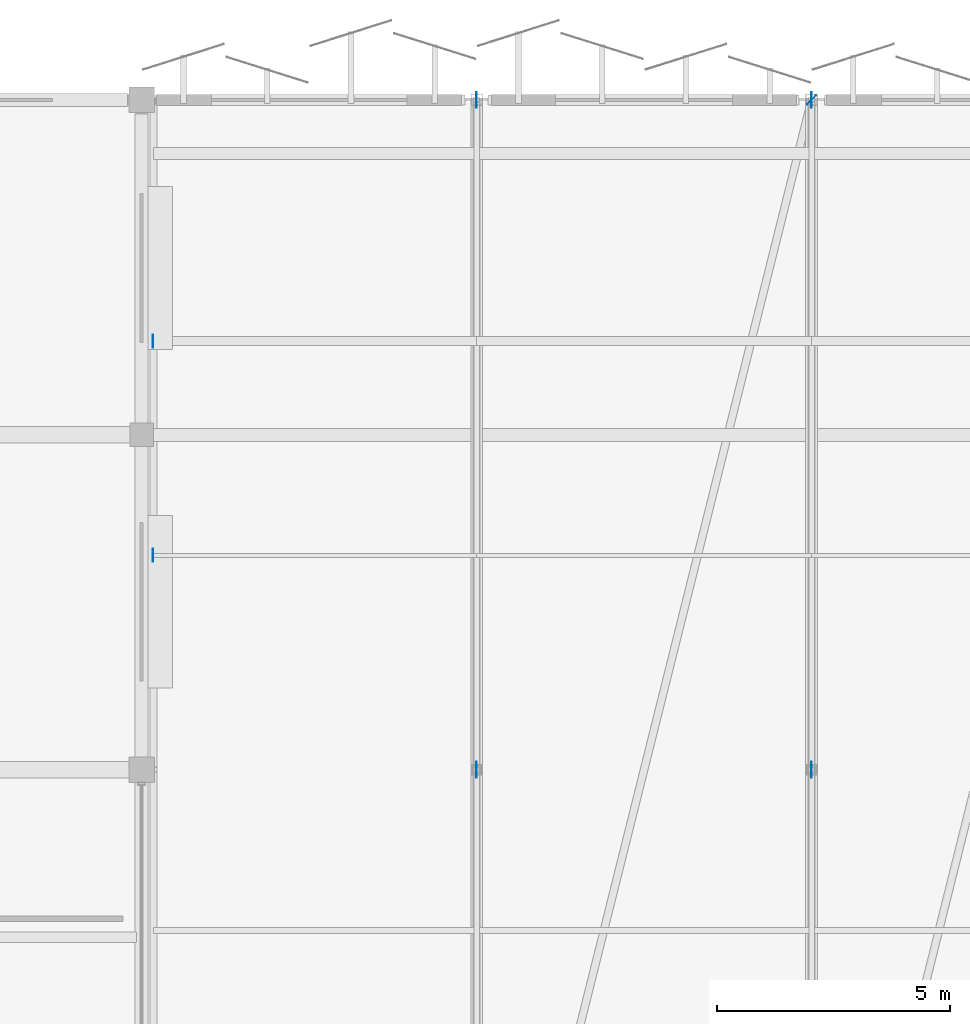
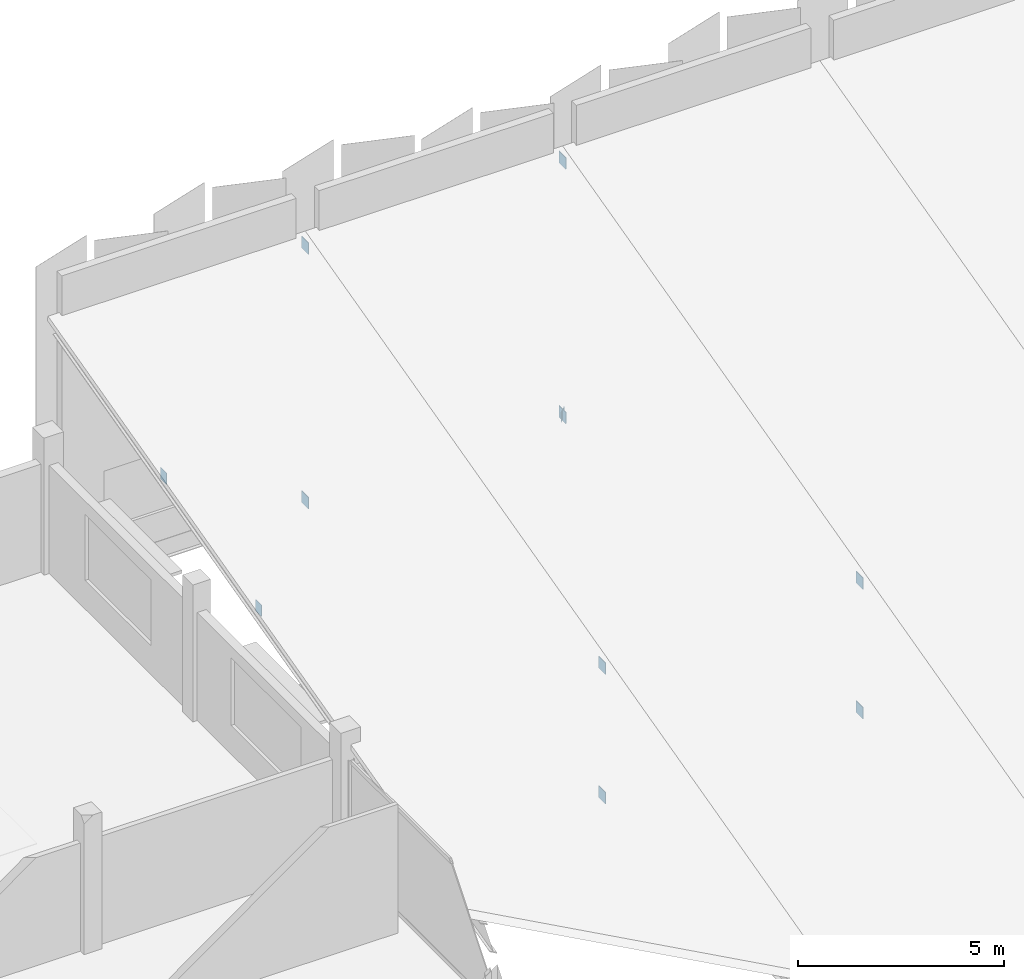
# One storey, part 71 of 108: 11 plates.
"""IFC4 building model written with IfcOpenShell, lengths in metres."""

from ifc_helpers import new_model, si_unit, direction, frame, origin, origin_2d, place, context, subcontext, project, spatial, rectangle, extrude, material, layer, layer_set, type_object, element, save


model = new_model("IFC4")

# Units and contexts
model_context = context("Model", 3, precision=1e-05, world=origin(), true_north=direction((0.0, 1.0)))
body_context = subcontext(model_context, "Body", "Model", "MODEL_VIEW")
ifc_project = project(units=[si_unit("LENGTHUNIT", "METRE"), si_unit("AREAUNIT", "SQUARE_METRE"), si_unit("VOLUMEUNIT", "CUBIC_METRE"), si_unit("PLANEANGLEUNIT", "RADIAN"), si_unit("MASSUNIT", "GRAM", prefix="KILO")], contexts=[model_context])

# Site, building, storey
site_placement = place(None, origin())
site = spatial("IfcSite", under=ifc_project, at=site_placement, CompositionType="ELEMENT")
building_placement = place(site_placement, origin())
building = spatial("IfcBuilding", under=site, at=building_placement, Name="Kangsadwip Square Police Headquarters", CompositionType="ELEMENT")
storey_placement = place(building_placement, frame((0.0, 0.0, 9.449951171875)))
storey = spatial("IfcBuildingStorey", under=building, at=storey_placement, Name="L02", CompositionType="ELEMENT", Elevation=9.449951171875)

# Plates
ifc_material_1 = material(Name="Structural steel IS 2062 E350 (Grade 350, 350 MPa)", Category="steel")
ifc_layer_1 = layer(ifc_material_1, 0.011962890625)
ifc_layer_set_1 = layer_set([ifc_layer_1], Name="Structural steel IS 2062 E350 (Grade 350, 350 MPa)")
plate_type_1 = type_object("IfcPlateType", Name="TrussEndCapPlate12", PredefinedType="USERDEFINED", material=ifc_layer_set_1)
for number, where, z_axis, x_axis, name in (
    (1, (43.444091796875, 105.407958984375, 4.4541015625), (0.0, 0.0, 1.0), (0.0, 1.0, 0.0), "Truss Node Gusset Plate GP-L02-0044"),
    (2, (43.444091796875, 110.01611328125, 5.56787109375), (0.0, 0.0, 1.0), (0.0, 1.0, 0.0), "Truss Node Gusset Plate GP-L02-0045"),
):
    element("IfcPlate", number, at=place(storey_placement, frame(where, z_axis=z_axis, x_axis=x_axis)), inside=storey, type_object=plate_type_1, Name=name, ObjectType="GUSSET_PLATE", PredefinedType="USERDEFINED", context=body_context, shape_type="SweptSolid", body=[
        extrude(rectangle(XDim=0.280029296875, YDim=0.011962890625, at=origin_2d()), origin(), (0.0, 0.0, 1.0), 0.340087890625),
    ])
plate_placement = place(storey_placement, frame((57.60009765625, 115.199951171875, -0.68994140625), z_axis=(0.0, 0.0, 1.0), x_axis=(0.707106781187, 0.707106781187, 0.0)))
element("IfcPlate", 3, at=plate_placement, inside=storey, type_object=plate_type_1, Name="Truss Node Gusset Plate GP-L02-0047", ObjectType="GUSSET_PLATE", PredefinedType="USERDEFINED", context=body_context, shape_type="SweptSolid", body=[
    extrude(rectangle(XDim=0.280029296875, YDim=0.011962890625, at=origin_2d()), origin(), (0.0, 0.0, 1.0), 0.280029296875),
])
ifc_material_2 = material(Name="Structural steel IS 2062 E350 (Grade 350, 350 MPa)", Category="steel")
ifc_layer_2 = layer(ifc_material_2, 0.01611328125)
ifc_layer_set_2 = layer_set([ifc_layer_2], Name="Structural steel IS 2062 E350 (Grade 350, 350 MPa)")
plate_type_2 = type_object("IfcPlateType", Name="TrussGussetPlate16", PredefinedType="USERDEFINED", material=ifc_layer_set_2)
for number, where, z_axis, x_axis, name in (
    (4, (50.39990234375, 100.800048828125, -0.72021484375), (0.0, 0.0, 1.0), (0.0, 1.0, 0.0), "Truss Node Gusset Plate GP-L02-0003"),
    (5, (50.39990234375, 100.800048828125, 3.10986328125), (0.0, 0.0, 1.0), (0.0, 1.0, 0.0), "Truss Node Gusset Plate GP-L02-0004"),
    (6, (50.39990234375, 115.199951171875, -0.72021484375), (0.0, 0.0, 1.0), (0.0, 1.0, 0.0), "Truss Node Gusset Plate GP-L02-0005"),
    (7, (50.39990234375, 115.199951171875, 6.81005859375), (0.0, 0.0, 1.0), (0.0, 1.0, 0.0), "Truss Node Gusset Plate GP-L02-0006"),
    (8, (57.60009765625, 100.800048828125, -0.72021484375), (0.0, 0.0, 1.0), (0.0, 1.0, 0.0), "Truss Node Gusset Plate GP-L02-0010"),
    (9, (57.60009765625, 100.800048828125, 3.10986328125), (0.0, 0.0, 1.0), (0.0, 1.0, 0.0), "Truss Node Gusset Plate GP-L02-0011"),
    (10, (57.60009765625, 115.199951171875, -0.72021484375), (0.0, 0.0, 1.0), (0.0, 1.0, 0.0), "Truss Node Gusset Plate GP-L02-0012"),
    (11, (57.60009765625, 115.199951171875, 6.81005859375), (0.0, 0.0, 1.0), (0.0, 1.0, 0.0), "Truss Node Gusset Plate GP-L02-0013"),
):
    element("IfcPlate", number, at=place(storey_placement, frame(where, z_axis=z_axis, x_axis=x_axis)), inside=storey, type_object=plate_type_2, Name=name, ObjectType="GUSSET_PLATE", PredefinedType="USERDEFINED", context=body_context, shape_type="SweptSolid", body=[
        extrude(rectangle(XDim=0.340087890625, YDim=0.01611328125, at=origin_2d()), origin(), (0.0, 0.0, 1.0), 0.340087890625),
    ])

save(model, "model.ifc")
